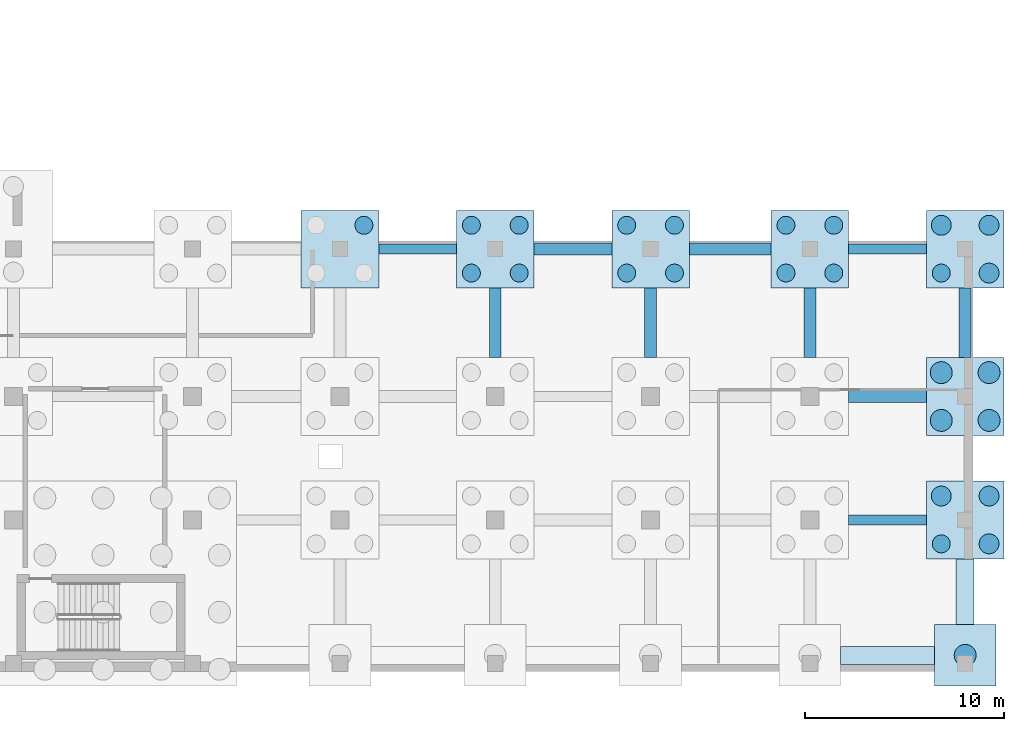
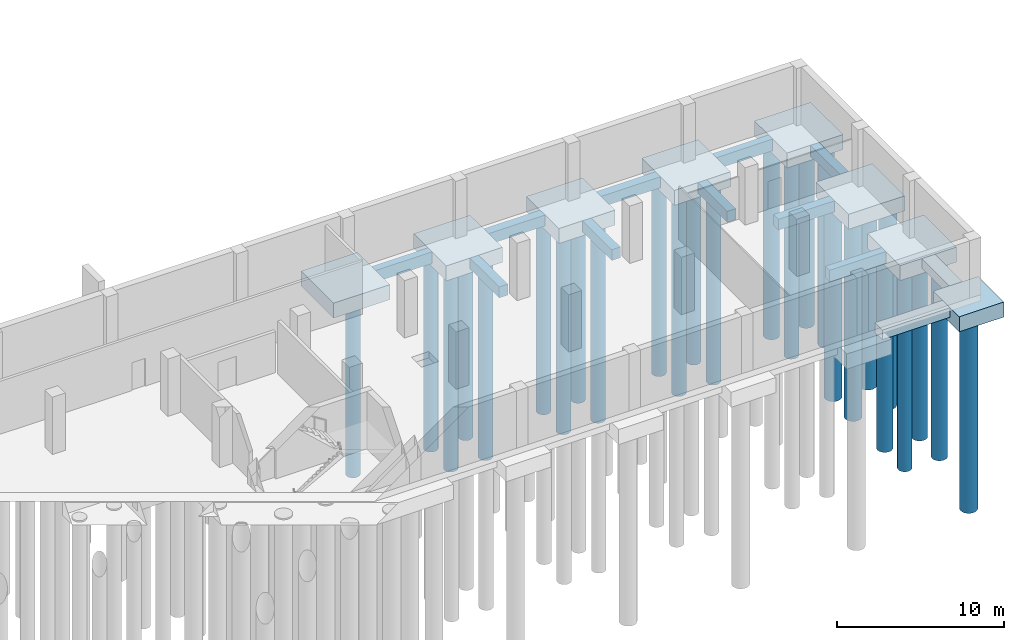
# One storey, part 6 of 31: 26 piles, 20 footings.
"""IFC4 building model written with IfcOpenShell, lengths in metres."""

from ifc_helpers import new_model, si_unit, direction, frame, origin, origin_2d, place, context, subcontext, project, spatial, rectangle, circle, extrude, material, material_profile, profile_set, type_object, element, save


model = new_model("IFC4")

# Units and contexts
model_context = context("Model", 3, precision=1e-05, world=origin(), true_north=direction((0.0, 1.0)))
body_context = subcontext(model_context, "Body", "Model", "MODEL_VIEW")
ifc_project = project(units=[si_unit("LENGTHUNIT", "METRE"), si_unit("AREAUNIT", "SQUARE_METRE"), si_unit("VOLUMEUNIT", "CUBIC_METRE"), si_unit("PLANEANGLEUNIT", "RADIAN"), si_unit("MASSUNIT", "GRAM", prefix="KILO")], contexts=[model_context])

# Site, building, storey
site_placement = place(None, origin())
site = spatial("IfcSite", under=ifc_project, at=site_placement, CompositionType="ELEMENT")
building_placement = place(site_placement, origin())
building = spatial("IfcBuilding", under=site, at=building_placement, Name="Qalavern Law Courts", CompositionType="ELEMENT")
storey_placement = place(building_placement, frame((0.0, 0.0, -8.39990234375)))
storey = spatial("IfcBuildingStorey", under=building, at=storey_placement, Name="B2", CompositionType="ELEMENT", Elevation=-8.39990234375)

# Footings
ifc_material = material(Name="Concrete C35/45", Category="concrete")
ifc_material_profile_1 = material_profile(ifc_material, rectangle(XDim=0.5, YDim=0.85009765625, at=origin_2d()), Name="RC 500x850")
ifc_profile_set_1 = profile_set([ifc_material_profile_1], Name="Concrete C35/45")
footing_type_1 = type_object("IfcFootingType", Name="STR-FB-500x850", PredefinedType="FOOTING_BEAM", material=ifc_profile_set_1)
footing_1_placement = place(storey_placement, frame((159.75, 8.60009765625, -0.925048828125), z_axis=(1.0, 0.0, 0.0), x_axis=(0.0, 1.0, 0.0)))
element("IfcFooting", 1, at=footing_1_placement, inside=storey, type_object=footing_type_1, Name="Seismic tie beam 021", PredefinedType="FOOTING_BEAM", context=body_context, shape_type="SweptSolid", body=[
    extrude(rectangle(XDim=0.5, YDim=0.85009765625, at=origin_2d()), origin(), (0.0, 0.0, 1.0), 3.89990234375),
])
footing_2_placement = place(storey_placement, frame((136.14990234375, 22.199951171875, -0.925048828125), z_axis=(1.0, 0.0, 0.0), x_axis=(0.0, 1.0, 0.0)))
element("IfcFooting", 2, at=footing_2_placement, inside=storey, type_object=footing_type_1, Name="Seismic tie beam 072", PredefinedType="FOOTING_BEAM", context=body_context, shape_type="SweptSolid", body=[
    extrude(rectangle(XDim=0.5, YDim=0.85009765625, at=origin_2d()), origin(), (0.0, 0.0, 1.0), 3.900146484375),
])
footing_3_placement = place(storey_placement, frame((159.75, 22.199951171875, -0.925048828125), z_axis=(1.0, 0.0, 0.0), x_axis=(0.0, 1.0, 0.0)))
element("IfcFooting", 3, at=footing_3_placement, inside=storey, type_object=footing_type_1, Name="Seismic tie beam 075", PredefinedType="FOOTING_BEAM", context=body_context, shape_type="SweptSolid", body=[
    extrude(rectangle(XDim=0.5, YDim=0.85009765625, at=origin_2d()), origin(), (0.0, 0.0, 1.0), 3.89990234375),
])
ifc_material_profile_2 = material_profile(ifc_material, rectangle(XDim=0.60009765625, YDim=0.800048828125, at=origin_2d()), Name="RC 600x800")
ifc_profile_set_2 = profile_set([ifc_material_profile_2], Name="Concrete C35/45")
footing_type_2 = type_object("IfcFootingType", Name="STR-FB-600x800", PredefinedType="FOOTING_BEAM", material=ifc_profile_set_2)
for number, where, z_axis, x_axis, name in (
    (4, (142.0, 16.75, -0.900146484375), (0.0, 1.0, 0.0), (-1.0, 0.0, 0.0), "Seismic tie beam 043"),
    (5, (149.800048828125, 16.75, -0.900146484375), (0.0, 1.0, 0.0), (-1.0, 0.0, 0.0), "Seismic tie beam 045"),
):
    element("IfcFooting", number, at=place(storey_placement, frame(where, z_axis=z_axis, x_axis=x_axis)), inside=storey, type_object=footing_type_2, Name=name, PredefinedType="FOOTING_BEAM", context=body_context, shape_type="SweptSolid", body=[
        extrude(rectangle(XDim=0.60009765625, YDim=0.800048828125, at=origin_2d()), origin(), (0.0, 0.0, 1.0), 3.5),
    ])
footing_4_placement = place(storey_placement, frame((159.75, 14.800048828125, -0.900146484375), z_axis=(1.0, 0.0, 0.0), x_axis=(0.0, 1.0, 0.0)))
element("IfcFooting", 6, at=footing_4_placement, inside=storey, type_object=footing_type_2, Name="Seismic tie beam 046", PredefinedType="FOOTING_BEAM", context=body_context, shape_type="SweptSolid", body=[
    extrude(rectangle(XDim=0.60009765625, YDim=0.800048828125, at=origin_2d()), origin(), (0.0, 0.0, 1.0), 3.89990234375),
])
for number, where, z_axis, x_axis, name in (
    (7, (157.800048828125, 16.75, -0.900146484375), (0.0, 1.0, 0.0), (-1.0, 0.0, 0.0), "Seismic tie beam 047"),
    (8, (165.60009765625, 16.75, -0.900146484375), (0.0, 1.0, 0.0), (-1.0, 0.0, 0.0), "Seismic tie beam 048"),
):
    element("IfcFooting", number, at=place(storey_placement, frame(where, z_axis=z_axis, x_axis=x_axis)), inside=storey, type_object=footing_type_2, Name=name, PredefinedType="FOOTING_BEAM", context=body_context, shape_type="SweptSolid", body=[
        extrude(rectangle(XDim=0.60009765625, YDim=0.800048828125, at=origin_2d()), origin(), (0.0, 0.0, 1.0), 3.5),
    ])
footing_5_placement = place(storey_placement, frame((143.949951171875, 22.199951171875, -0.900146484375), z_axis=(1.0, 0.0, 0.0), x_axis=(0.0, 1.0, 0.0)))
element("IfcFooting", 9, at=footing_5_placement, inside=storey, type_object=footing_type_2, Name="Seismic tie beam 073", PredefinedType="FOOTING_BEAM", context=body_context, shape_type="SweptSolid", body=[
    extrude(rectangle(XDim=0.60009765625, YDim=0.800048828125, at=origin_2d()), origin(), (0.0, 0.0, 1.0), 3.900146484375),
])
footing_6_placement = place(storey_placement, frame((151.75, 22.199951171875, -0.900146484375), z_axis=(1.0, 0.0, 0.0), x_axis=(0.0, 1.0, 0.0)))
element("IfcFooting", 10, at=footing_6_placement, inside=storey, type_object=footing_type_2, Name="Seismic tie beam 074", PredefinedType="FOOTING_BEAM", context=body_context, shape_type="SweptSolid", body=[
    extrude(rectangle(XDim=0.60009765625, YDim=0.800048828125, at=origin_2d()), origin(), (0.0, 0.0, 1.0), 4.10009765625),
])
footing_type_3 = type_object("IfcFootingType", Name="STR-PC-3100x3100x1100", PredefinedType="PILE_CAP", material=ifc_material)
footing_7_placement = place(storey_placement, frame((165.60009765625, 1.800048828125, -1.60009765625), z_axis=(0.0, 0.0, 1.0), x_axis=(1.0, 0.0, 0.0)))
element("IfcFooting", 11, at=footing_7_placement, inside=storey, type_object=footing_type_3, Name="Pile cap 008", PredefinedType="PILE_CAP", context=body_context, shape_type="SweptSolid", body=[
    extrude(rectangle(XDim=3.10009765625, YDim=3.10009765625, at=origin_2d()), origin(), (0.0, 0.0, 1.0), 1.10009765625),
])
footing_type_4 = type_object("IfcFootingType", Name="STR-PC-3900x3900x1100", PredefinedType="PILE_CAP", material=ifc_material)
for number, where, z_axis, x_axis, name in (
    (12, (165.60009765625, 8.60009765625, -1.60009765625), (0.0, 0.0, 1.0), (1.0, 0.0, 0.0), "Pile cap 022"),
    (13, (165.60009765625, 14.800048828125, -1.60009765625), (0.0, 0.0, 1.0), (1.0, 0.0, 0.0), "Pile cap 037"),
    (14, (134.199951171875, 22.199951171875, -1.60009765625), (0.0, 0.0, 1.0), (1.0, 0.0, 0.0), "Pile cap 051"),
    (15, (142.0, 22.199951171875, -1.60009765625), (0.0, 0.0, 1.0), (1.0, 0.0, 0.0), "Pile cap 052"),
    (16, (149.800048828125, 22.199951171875, -1.60009765625), (0.0, 0.0, 1.0), (1.0, 0.0, 0.0), "Pile cap 053"),
    (17, (157.800048828125, 22.199951171875, -1.60009765625), (0.0, 0.0, 1.0), (1.0, 0.0, 0.0), "Pile cap 054"),
    (18, (165.60009765625, 22.199951171875, -1.60009765625), (0.0, 0.0, 1.0), (1.0, 0.0, 0.0), "Pile cap 055"),
):
    element("IfcFooting", number, at=place(storey_placement, frame(where, z_axis=z_axis, x_axis=x_axis)), inside=storey, type_object=footing_type_4, Name=name, PredefinedType="PILE_CAP", context=body_context, shape_type="SweptSolid", body=[
        extrude(rectangle(XDim=3.89990234375, YDim=3.89990234375, at=origin_2d()), origin(), (0.0, 0.0, 1.0), 1.10009765625),
    ])

# Piles
ifc_material_profile_3 = material_profile(ifc_material, circle(Radius=0.5, at=origin_2d()), Name="BORED PILE 1000")
ifc_profile_set_3 = profile_set([ifc_material_profile_3], Name="Concrete C35/45")
pile_type_1 = type_object("IfcPileType", Name="STR-PILE-1000", PredefinedType="BORED", material=ifc_profile_set_3)
for number, where, z_axis, x_axis, name in (
    (19, (164.39990234375, 9.800048828125, -1.5), (0.0, 0.0, -1.0), (1.0, 0.0, 0.0), "Bored pile 0125"),
    (20, (166.800048828125, 7.39990234375, -1.5), (0.0, 0.0, -1.0), (1.0, 0.0, 0.0), "Bored pile 0126"),
    (21, (166.800048828125, 9.800048828125, -1.5), (0.0, 0.0, -1.0), (1.0, 0.0, 0.0), "Bored pile 0127"),
    (22, (164.39990234375, 23.39990234375, -1.5), (0.0, 0.0, -1.0), (1.0, 0.0, 0.0), "Bored pile 0254"),
    (23, (166.800048828125, 21.0, -1.5), (0.0, 0.0, -1.0), (1.0, 0.0, 0.0), "Bored pile 0255"),
    (24, (166.800048828125, 23.39990234375, -1.5), (0.0, 0.0, -1.0), (1.0, 0.0, 0.0), "Bored pile 0256"),
):
    element("IfcPile", number, at=place(storey_placement, frame(where, z_axis=z_axis, x_axis=x_axis)), inside=storey, type_object=pile_type_1, Name=name, PredefinedType="BORED", context=body_context, shape_type="SweptSolid", body=[
        extrude(circle(Radius=0.5, at=origin_2d()), origin(), (0.0, 0.0, 1.0), 14.5),
    ])
ifc_material_profile_4 = material_profile(ifc_material, circle(Radius=0.550048828125, at=origin_2d()), Name="BORED PILE 1100")
ifc_profile_set_4 = profile_set([ifc_material_profile_4], Name="Concrete C35/45")
pile_type_2 = type_object("IfcPileType", Name="STR-PILE-1100", PredefinedType="BORED", material=ifc_profile_set_4)
for number, where, z_axis, x_axis, name in (
    (25, (165.60009765625, 1.800048828125, -1.5), (0.0, 0.0, -1.0), (1.0, 0.0, 0.0), "Bored pile 0034"),
    (26, (164.39990234375, 13.60009765625, -1.5), (0.0, 0.0, -1.0), (1.0, 0.0, 0.0), "Bored pile 0181"),
    (27, (164.39990234375, 16.0, -1.5), (0.0, 0.0, -1.0), (1.0, 0.0, 0.0), "Bored pile 0182"),
    (28, (166.800048828125, 13.60009765625, -1.5), (0.0, 0.0, -1.0), (1.0, 0.0, 0.0), "Bored pile 0183"),
    (29, (166.800048828125, 16.0, -1.5), (0.0, 0.0, -1.0), (1.0, 0.0, 0.0), "Bored pile 0184"),
):
    element("IfcPile", number, at=place(storey_placement, frame(where, z_axis=z_axis, x_axis=x_axis)), inside=storey, type_object=pile_type_2, Name=name, PredefinedType="BORED", context=body_context, shape_type="SweptSolid", body=[
        extrude(circle(Radius=0.550048828125, at=origin_2d()), origin(), (0.0, 0.0, 1.0), 14.5),
    ])
ifc_material_profile_5 = material_profile(ifc_material, circle(Radius=0.449951171875, at=origin_2d()), Name="BORED PILE 900")
ifc_profile_set_5 = profile_set([ifc_material_profile_5], Name="Concrete C35/45")
pile_type_3 = type_object("IfcPileType", Name="STR-PILE-900", PredefinedType="BORED", material=ifc_profile_set_5)
for number, where, z_axis, x_axis, name in (
    (30, (164.39990234375, 7.39990234375, -1.5), (0.0, 0.0, -1.0), (1.0, 0.0, 0.0), "Bored pile 0124"),
    (31, (135.39990234375, 23.39990234375, -1.5), (0.0, 0.0, -1.0), (1.0, 0.0, 0.0), "Bored pile 0240"),
    (32, (140.800048828125, 21.0, -1.5), (0.0, 0.0, -1.0), (1.0, 0.0, 0.0), "Bored pile 0241"),
    (33, (140.800048828125, 23.39990234375, -1.5), (0.0, 0.0, -1.0), (1.0, 0.0, 0.0), "Bored pile 0242"),
    (34, (143.199951171875, 21.0, -1.5), (0.0, 0.0, -1.0), (1.0, 0.0, 0.0), "Bored pile 0243"),
    (35, (143.199951171875, 23.39990234375, -1.5), (0.0, 0.0, -1.0), (1.0, 0.0, 0.0), "Bored pile 0244"),
    (36, (148.60009765625, 21.0, -1.5), (0.0, 0.0, -1.0), (1.0, 0.0, 0.0), "Bored pile 0245"),
    (37, (148.60009765625, 23.39990234375, -1.5), (0.0, 0.0, -1.0), (1.0, 0.0, 0.0), "Bored pile 0246"),
    (38, (151.0, 21.0, -1.5), (0.0, 0.0, -1.0), (1.0, 0.0, 0.0), "Bored pile 0247"),
    (39, (151.0, 23.39990234375, -1.5), (0.0, 0.0, -1.0), (1.0, 0.0, 0.0), "Bored pile 0248"),
    (40, (156.60009765625, 21.0, -1.5), (0.0, 0.0, -1.0), (1.0, 0.0, 0.0), "Bored pile 0249"),
    (41, (156.60009765625, 23.39990234375, -1.5), (0.0, 0.0, -1.0), (1.0, 0.0, 0.0), "Bored pile 0250"),
    (42, (159.0, 21.0, -1.5), (0.0, 0.0, -1.0), (1.0, 0.0, 0.0), "Bored pile 0251"),
    (43, (159.0, 23.39990234375, -1.5), (0.0, 0.0, -1.0), (1.0, 0.0, 0.0), "Bored pile 0252"),
    (44, (164.39990234375, 21.0, -1.5), (0.0, 0.0, -1.0), (1.0, 0.0, 0.0), "Bored pile 0253"),
):
    element("IfcPile", number, at=place(storey_placement, frame(where, z_axis=z_axis, x_axis=x_axis)), inside=storey, type_object=pile_type_3, Name=name, PredefinedType="BORED", context=body_context, shape_type="SweptSolid", body=[
        extrude(circle(Radius=0.449951171875, at=origin_2d()), origin(), (0.0, 0.0, 1.0), 14.5),
    ])

# Footings
ifc_material_profile_6 = material_profile(ifc_material, rectangle(XDim=0.89990234375, YDim=0.699951171875, at=origin_2d()), Name="RC 900x700")
ifc_profile_set_6 = profile_set([ifc_material_profile_6], Name="Concrete C35/45")
footing_type_5 = type_object("IfcFootingType", Name="STR-SF-900x700", PredefinedType="STRIP_FOOTING", material=ifc_profile_set_6)
footing_8_placement = place(storey_placement, frame((159.35009765625, 1.800048828125, -0.85009765625), z_axis=(1.0, 0.0, 0.0), x_axis=(0.0, 1.0, 0.0)))
element("IfcFooting", 45, at=footing_8_placement, inside=storey, type_object=footing_type_5, Name="Perimeter strip footing 009", PredefinedType="STRIP_FOOTING", context=body_context, shape_type="SweptSolid", body=[
    extrude(rectangle(XDim=0.89990234375, YDim=0.699951171875, at=origin_2d()), origin(), (0.0, 0.0, 1.0), 4.699951171875),
])
footing_9_placement = place(storey_placement, frame((165.60009765625, 3.35009765625, -0.85009765625), z_axis=(0.0, 1.0, 0.0), x_axis=(-1.0, 0.0, 0.0)))
element("IfcFooting", 46, at=footing_9_placement, inside=storey, type_object=footing_type_5, Name="Perimeter strip footing 010", PredefinedType="STRIP_FOOTING", context=body_context, shape_type="SweptSolid", body=[
    extrude(rectangle(XDim=0.89990234375, YDim=0.699951171875, at=origin_2d()), origin(), (0.0, 0.0, 1.0), 3.2998046875),
])

save(model, "model.ifc")
